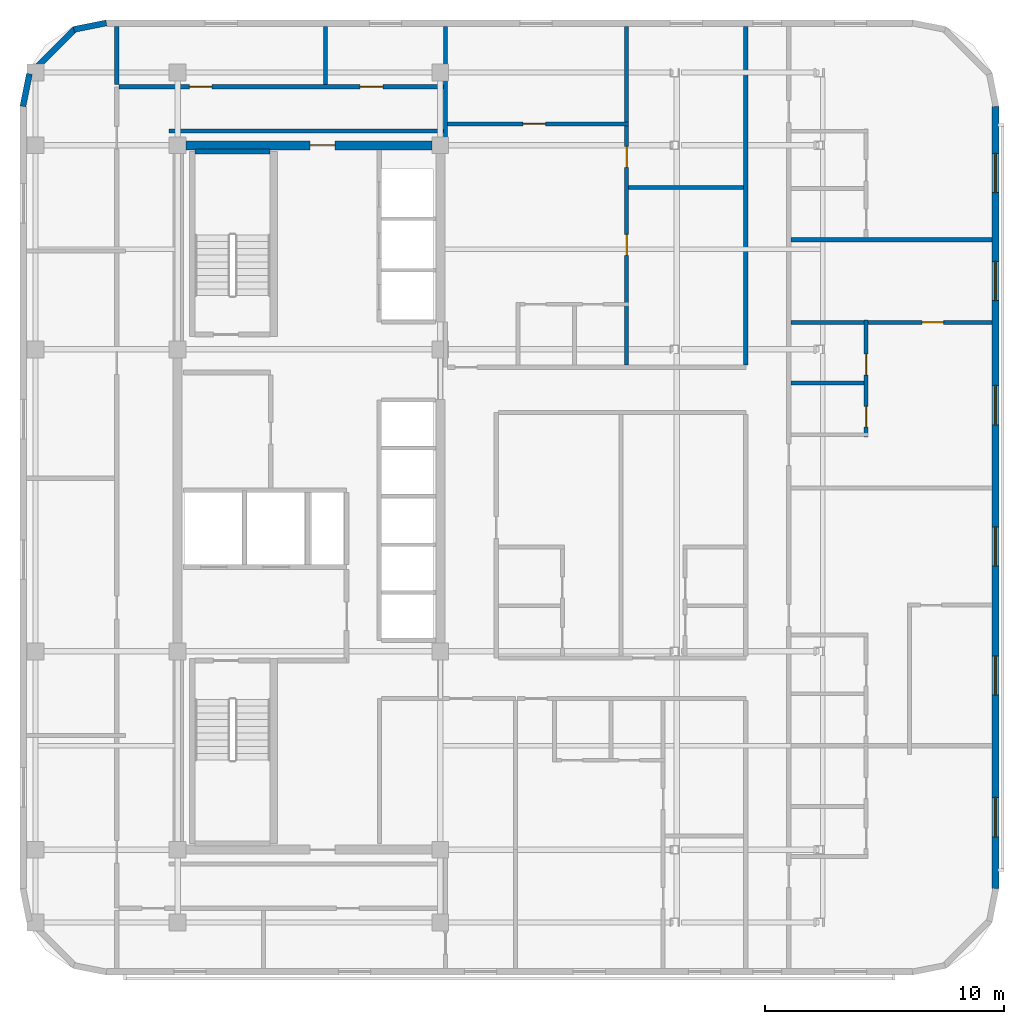
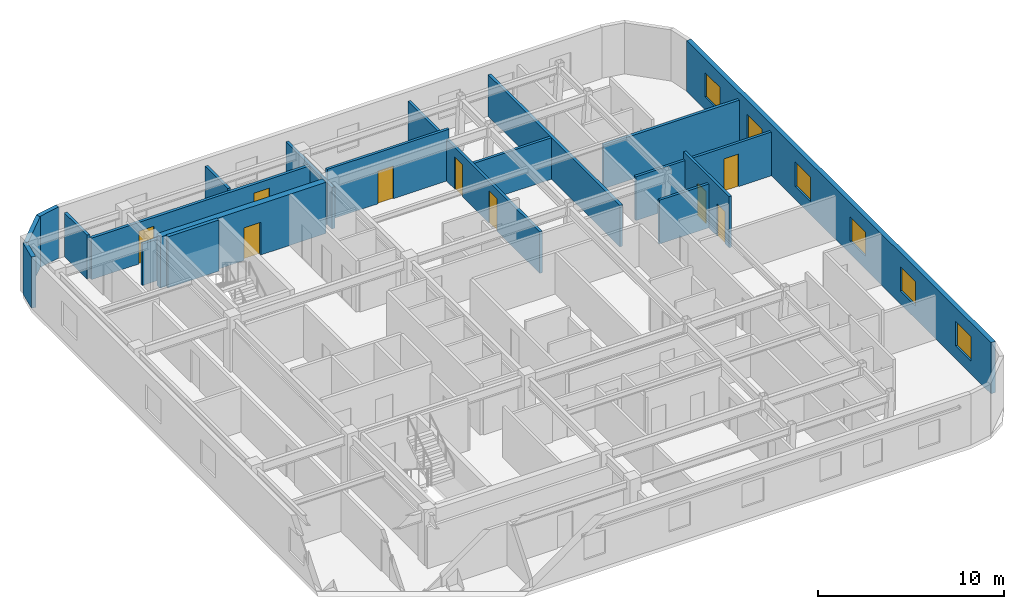
# One storey, part 6 of 10: 19 walls, 9 doors, 6 windows, 15 openings.
"""IFC4 building model written with IfcOpenShell, lengths in metres."""

from ifc_helpers import new_model, si_unit, direction, frame, frame_2d, origin, place, context, subcontext, project, spatial, rectangle, extrude, material, layer, layer_set, type_object, element, fill, save


model = new_model("IFC4")

# Units and contexts
model_context = context("Model", 3, precision=1e-05, world=origin(), true_north=direction((0.0, 1.0)))
body_context = subcontext(model_context, "Body", "Model", "MODEL_VIEW")
ifc_project = project(units=[si_unit("LENGTHUNIT", "METRE"), si_unit("AREAUNIT", "SQUARE_METRE"), si_unit("VOLUMEUNIT", "CUBIC_METRE"), si_unit("PLANEANGLEUNIT", "RADIAN"), si_unit("MASSUNIT", "GRAM", prefix="KILO")], contexts=[model_context])

# Site, building, storey
site_placement = place(None, origin())
site = spatial("IfcSite", under=ifc_project, at=site_placement, CompositionType="ELEMENT")
building_placement = place(site_placement, origin())
building = spatial("IfcBuilding", under=site, at=building_placement, Name="Ochreholt Gables", CompositionType="ELEMENT")
storey_placement = place(building_placement, frame((0.0, 0.0, 144.60009765625)))
storey = spatial("IfcBuildingStorey", under=building, at=storey_placement, Name="L37", CompositionType="ELEMENT", Elevation=144.60009765625)

# Wall, opening, door
ifc_material_1 = material(Name="Concrete 50 MPa", Category="concrete")
ifc_layer_1 = layer(ifc_material_1, 0.3798828125, Name="Concrete 50 MPa")
ifc_layer_set_1 = layer_set([ifc_layer_1], Name="Concrete 50 MPa")
wall_type_1 = type_object("IfcWallType", Name="WALL-CSW-380", PredefinedType="SHEAR", material=ifc_layer_set_1)
wall_1_placement = place(storey_placement, frame((24.550048828125, 38.75, 0.0), z_axis=(0.0, 0.0, 1.0), x_axis=(1.0, 0.0, 0.0)))
wall_1 = element("IfcWall", 1, at=wall_1_placement, inside=storey, type_object=wall_type_1, Name="L37 Core North Shear Wall", PredefinedType="SHEAR", context=body_context, shape_type="SweptSolid", body=[
    extrude(rectangle(XDim=10.300048828125, YDim=0.3798828125, at=frame_2d((5.14990234375, 0.0))), origin(), (0.0, 0.0, 1.0), 3.35986328125),
])
opening_1_placement = place(wall_1_placement, frame((5.199951171875, 0.0, 0.0)))
opening_1 = element("IfcOpeningElement", 2, at=opening_1_placement, cuts=wall_1, Name="Opening D-FLB", PredefinedType="OPENING", context=body_context, shape_type="SweptSolid", body=[
    extrude(rectangle(XDim=1.050048828125, YDim=2.14990234375, at=frame_2d((0.52490234375, 1.074951171875))), frame((0.0, 0.199951171875, 0.0), z_axis=(0.0, -1.0, 0.0), x_axis=(1.0, 0.0, 0.0)), (0.0, 0.0, 1.0), 0.39990234375),
])
ifc_material_2 = material(Name="Hollow Metal Steel", Category="steel")
door_type_1 = type_object("IfcDoorType", Name="DR-INT-FLB1050", OperationType="NOTDEFINED", PredefinedType="DOOR", material=ifc_material_2)
door_1_placement = place(opening_1_placement, frame((1.050048828125, 0.0, 0.0), z_axis=(0.0, 0.0, 1.0), x_axis=(-1.0, 0.0, 0.0)))
door_1 = element("IfcDoor", 3, at=door_1_placement, inside=storey, type_object=door_type_1, Name="L37 Door D-C2CRN-L37", OperationType="SINGLE_SWING_RIGHT", OverallHeight=2.14990234375, OverallWidth=1.050048828125, PredefinedType="DOOR", context=body_context, shape_type="SweptSolid", body=[
    extrude(rectangle(XDim=1.050048828125, YDim=2.14990234375, at=frame_2d((0.52490234375, 1.074951171875))), frame((0.0, 0.02490234375, 0.0), z_axis=(0.0, -1.0, 0.0), x_axis=(1.0, 0.0, 0.0)), (0.0, 0.0, 1.0), 0.050048828125),
])
fill(opening_1, door_1)

# Wall, openings, windows
ifc_material_3 = material(Name="Precast concrete 40 MPa", Category="concrete")
ifc_layer_2 = layer(ifc_material_3, 0.280029296875, Name="Precast concrete 40 MPa")
ifc_layer_set_2 = layer_set([ifc_layer_2], Name="Precast concrete 40 MPa")
wall_type_2 = type_object("IfcWallType", Name="WALL-EXT-280", PredefinedType="SOLIDWALL", material=ifc_layer_set_2)
wall_2_placement = place(storey_placement, frame((58.4599609375, 7.6201171875, 0.0), z_axis=(0.0, 0.0, 1.0), x_axis=(0.0, 1.0, 0.0)))
wall_2 = element("IfcWall", 4, at=wall_2_placement, inside=storey, type_object=wall_type_2, Name="L37 East Exterior Wall", PredefinedType="SOLIDWALL", context=body_context, shape_type="SweptSolid", body=[
    extrude(rectangle(XDim=32.759765625, YDim=0.280029296875, at=frame_2d((16.3798828125, 0.0))), origin(), (0.0, 0.0, 1.0), 3.35986328125),
])
opening_2_placement = place(wall_2_placement, frame((2.1650390625, 0.0, 0.85009765625)))
opening_2 = element("IfcOpeningElement", 5, at=opening_2_placement, cuts=wall_2, Name="Opening WN-7", PredefinedType="OPENING", context=body_context, shape_type="SweptSolid", body=[
    extrude(rectangle(XDim=1.64990234375, YDim=1.60009765625, at=frame_2d((0.824951171875, 0.800048828125))), frame((0.0, 0.14990234375, 0.0), z_axis=(0.0, -1.0, 0.0), x_axis=(1.0, 0.0, 0.0)), (0.0, 0.0, 1.0), 0.300048828125),
])
opening_3_placement = place(wall_2_placement, frame((8.10009765625, 0.0, 0.85009765625)))
opening_3 = element("IfcOpeningElement", 6, at=opening_3_placement, cuts=wall_2, Name="Opening WN-7", PredefinedType="OPENING", context=body_context, shape_type="SweptSolid", body=[
    extrude(rectangle(XDim=1.64990234375, YDim=1.60009765625, at=frame_2d((0.824951171875, 0.800048828125))), frame((0.0, 0.14990234375, 0.0), z_axis=(0.0, -1.0, 0.0), x_axis=(1.0, 0.0, 0.0)), (0.0, 0.0, 1.0), 0.300048828125),
])
opening_4_placement = place(wall_2_placement, frame((13.5, 0.0, 0.85009765625)))
opening_4 = element("IfcOpeningElement", 7, at=opening_4_placement, cuts=wall_2, Name="Opening WN-7", PredefinedType="OPENING", context=body_context, shape_type="SweptSolid", body=[
    extrude(rectangle(XDim=1.64990234375, YDim=1.60009765625, at=frame_2d((0.824951171875, 0.800048828125))), frame((0.0, 0.14990234375, 0.0), z_axis=(0.0, -1.0, 0.0), x_axis=(1.0, 0.0, 0.0)), (0.0, 0.0, 1.0), 0.300048828125),
])
opening_5_placement = place(wall_2_placement, frame((19.423583984375, 0.0, 0.85009765625)))
opening_5 = element("IfcOpeningElement", 8, at=opening_5_placement, cuts=wall_2, Name="Opening WN-7", PredefinedType="OPENING", context=body_context, shape_type="SweptSolid", body=[
    extrude(rectangle(XDim=1.64990234375, YDim=1.60009765625, at=frame_2d((0.824951171875, 0.800048828125))), frame((0.0, 0.14990234375, 0.0), z_axis=(0.0, -1.0, 0.0), x_axis=(1.0, 0.0, 0.0)), (0.0, 0.0, 1.0), 0.300048828125),
])
opening_6_placement = place(wall_2_placement, frame((24.623779296875, 0.0, 0.85009765625)))
opening_6 = element("IfcOpeningElement", 9, at=opening_6_placement, cuts=wall_2, Name="Opening WN-7", PredefinedType="OPENING", context=body_context, shape_type="SweptSolid", body=[
    extrude(rectangle(XDim=1.64990234375, YDim=1.60009765625, at=frame_2d((0.824951171875, 0.800048828125))), frame((0.0, 0.14990234375, 0.0), z_axis=(0.0, -1.0, 0.0), x_axis=(1.0, 0.0, 0.0)), (0.0, 0.0, 1.0), 0.300048828125),
])
opening_7_placement = place(wall_2_placement, frame((29.14501953125, 0.0, 0.85009765625)))
opening_7 = element("IfcOpeningElement", 10, at=opening_7_placement, cuts=wall_2, Name="Opening WN-7", PredefinedType="OPENING", context=body_context, shape_type="SweptSolid", body=[
    extrude(rectangle(XDim=1.64990234375, YDim=1.60009765625, at=frame_2d((0.824951171875, 0.800048828125))), frame((0.0, 0.14990234375, 0.0), z_axis=(0.0, -1.0, 0.0), x_axis=(1.0, 0.0, 0.0)), (0.0, 0.0, 1.0), 0.300048828125),
])
ifc_material_4 = material(Name="Triple-Glazed Thermally Broken Aluminium Window", Category="aluminium")
window_type = type_object("IfcWindowType", Name="WIN-RES-1650", PartitioningType="SINGLE_PANEL", PredefinedType="WINDOW", material=ifc_material_4)
window_1_placement = place(opening_2_placement, origin())
window_1 = element("IfcWindow", 11, at=window_1_placement, inside=storey, type_object=window_type, Name="L37 Window W-EXT-E-L37-1", OverallHeight=1.60009765625, OverallWidth=1.64990234375, PartitioningType="SINGLE_PANEL", PredefinedType="WINDOW", context=body_context, shape_type="SweptSolid", body=[
    extrude(rectangle(XDim=1.64990234375, YDim=1.60009765625, at=frame_2d((0.824951171875, 0.800048828125))), frame((0.0, 0.030029296875, 0.0), z_axis=(0.0, -1.0, 0.0), x_axis=(1.0, 0.0, 0.0)), (0.0, 0.0, 1.0), 0.06005859375),
])
fill(opening_2, window_1)
window_2_placement = place(opening_3_placement, origin())
window_2 = element("IfcWindow", 12, at=window_2_placement, inside=storey, type_object=window_type, Name="L37 Window W-EXT-E-L37-2", OverallHeight=1.60009765625, OverallWidth=1.64990234375, PartitioningType="SINGLE_PANEL", PredefinedType="WINDOW", context=body_context, shape_type="SweptSolid", body=[
    extrude(rectangle(XDim=1.64990234375, YDim=1.60009765625, at=frame_2d((0.824951171875, 0.800048828125))), frame((0.0, 0.030029296875, 0.0), z_axis=(0.0, -1.0, 0.0), x_axis=(1.0, 0.0, 0.0)), (0.0, 0.0, 1.0), 0.06005859375),
])
fill(opening_3, window_2)
window_3_placement = place(opening_4_placement, origin())
window_3 = element("IfcWindow", 13, at=window_3_placement, inside=storey, type_object=window_type, Name="L37 Window W-EXT-E-L37-3", OverallHeight=1.60009765625, OverallWidth=1.64990234375, PartitioningType="SINGLE_PANEL", PredefinedType="WINDOW", context=body_context, shape_type="SweptSolid", body=[
    extrude(rectangle(XDim=1.64990234375, YDim=1.60009765625, at=frame_2d((0.824951171875, 0.800048828125))), frame((0.0, 0.030029296875, 0.0), z_axis=(0.0, -1.0, 0.0), x_axis=(1.0, 0.0, 0.0)), (0.0, 0.0, 1.0), 0.06005859375),
])
fill(opening_4, window_3)
window_4_placement = place(opening_5_placement, origin())
window_4 = element("IfcWindow", 14, at=window_4_placement, inside=storey, type_object=window_type, Name="L37 Window W-EXT-E-L37-4", OverallHeight=1.60009765625, OverallWidth=1.64990234375, PartitioningType="SINGLE_PANEL", PredefinedType="WINDOW", context=body_context, shape_type="SweptSolid", body=[
    extrude(rectangle(XDim=1.64990234375, YDim=1.60009765625, at=frame_2d((0.824951171875, 0.800048828125))), frame((0.0, 0.030029296875, 0.0), z_axis=(0.0, -1.0, 0.0), x_axis=(1.0, 0.0, 0.0)), (0.0, 0.0, 1.0), 0.06005859375),
])
fill(opening_5, window_4)
window_5_placement = place(opening_6_placement, origin())
window_5 = element("IfcWindow", 15, at=window_5_placement, inside=storey, type_object=window_type, Name="L37 Window W-EXT-E-L37-5", OverallHeight=1.60009765625, OverallWidth=1.64990234375, PartitioningType="SINGLE_PANEL", PredefinedType="WINDOW", context=body_context, shape_type="SweptSolid", body=[
    extrude(rectangle(XDim=1.64990234375, YDim=1.60009765625, at=frame_2d((0.824951171875, 0.800048828125))), frame((0.0, 0.030029296875, 0.0), z_axis=(0.0, -1.0, 0.0), x_axis=(1.0, 0.0, 0.0)), (0.0, 0.0, 1.0), 0.06005859375),
])
fill(opening_6, window_5)
window_6_placement = place(opening_7_placement, origin())
window_6 = element("IfcWindow", 16, at=window_6_placement, inside=storey, type_object=window_type, Name="L37 Window W-EXT-E-L37-6", OverallHeight=1.60009765625, OverallWidth=1.64990234375, PartitioningType="SINGLE_PANEL", PredefinedType="WINDOW", context=body_context, shape_type="SweptSolid", body=[
    extrude(rectangle(XDim=1.64990234375, YDim=1.60009765625, at=frame_2d((0.824951171875, 0.800048828125))), frame((0.0, 0.030029296875, 0.0), z_axis=(0.0, -1.0, 0.0), x_axis=(1.0, 0.0, 0.0)), (0.0, 0.0, 1.0), 0.06005859375),
])
fill(opening_7, window_6)

# Walls
ifc_layer_3 = layer(ifc_material_3, 0.25, Name="Precast concrete 40 MPa")
ifc_layer_set_3 = layer_set([ifc_layer_3], Name="Precast concrete 40 MPa")
wall_type_3 = type_object("IfcWallType", Name="WALL-EXT-CNR", PredefinedType="SOLIDWALL", material=ifc_layer_set_3)
wall_3_placement = place(storey_placement, frame((21.216552734375, 43.875732421875, 0.0), z_axis=(0.0, 0.0, 1.0), x_axis=(-0.980809899341, -0.19496651342, 0.0)))
element("IfcWall", 17, at=wall_3_placement, inside=storey, type_object=wall_type_3, Name="L37 Rounded Corner Wall NW-1", PredefinedType="SOLIDWALL", context=body_context, shape_type="SweptSolid", body=[
    extrude(rectangle(XDim=1.388671875, YDim=0.25, at=frame_2d((0.6943359375, 0.0))), origin(), (0.0, 0.0, 1.0), 3.35986328125),
])
wall_4_placement = place(storey_placement, frame((19.905029296875, 43.632080078125, 0.0), z_axis=(0.0, 0.0, 1.0), x_axis=(-0.707106781187, -0.707106781187, 0.0)))
element("IfcWall", 18, at=wall_4_placement, inside=storey, type_object=wall_type_3, Name="L37 Rounded Corner Wall NW-2", PredefinedType="SOLIDWALL", context=body_context, shape_type="SweptSolid", body=[
    extrude(rectangle(XDim=2.7392578125, YDim=0.25, at=frame_2d((1.36962890625, 0.0))), origin(), (0.0, 0.0, 1.0), 3.35986328125),
])
wall_5_placement = place(storey_placement, frame((17.9951171875, 41.74560546875, 0.0), z_axis=(0.0, 0.0, 1.0), x_axis=(-0.195135625965, -0.9807762678, 0.0)))
element("IfcWall", 19, at=wall_5_placement, inside=storey, type_object=wall_type_3, Name="L37 Rounded Corner Wall NW-3", PredefinedType="SOLIDWALL", context=body_context, shape_type="SweptSolid", body=[
    extrude(rectangle(XDim=1.388671875, YDim=0.25, at=frame_2d((0.6943359375, 0.0))), origin(), (0.0, 0.0, 1.0), 3.35986328125),
])

# Wall, openings, doors
ifc_material_5 = material(Name="Fire-Rated Gypsum Acoustic Partition", Category="gypsum")
ifc_layer_4 = layer(ifc_material_5, 0.179931640625, Name="Fire-Rated Gypsum Acoustic Partition")
ifc_layer_set_4 = layer_set([ifc_layer_4], Name="Fire-Rated Gypsum Acoustic Partition")
wall_type_4 = type_object("IfcWallType", Name="WALL-INT-CR180", PredefinedType="STANDARD", material=ifc_layer_set_4)
wall_6_placement = place(storey_placement, frame((21.739990234375, 41.199951171875, 0.0), z_axis=(0.0, 0.0, 1.0), x_axis=(1.0, 0.0, 0.0)))
wall_6 = element("IfcWall", 20, at=wall_6_placement, inside=storey, type_object=wall_type_4, Name="L37 Interior Wall WI-C2WCN-L37", PredefinedType="STANDARD", context=body_context, shape_type="SweptSolid", body=[
    extrude(rectangle(XDim=13.679931640625, YDim=0.179931640625, at=frame_2d((6.83984375, 0.0))), origin(), (0.0, 0.0, 1.0), 2.72998046875),
])
opening_8_placement = place(wall_6_placement, frame((2.949951171875, 0.0, 0.0)))
opening_8 = element("IfcOpeningElement", 21, at=opening_8_placement, cuts=wall_6, Name="Opening D-GN1", PredefinedType="OPENING", context=body_context, shape_type="SweptSolid", body=[
    extrude(rectangle(XDim=0.949951171875, YDim=2.14990234375, at=frame_2d((0.47509765625, 1.074951171875))), frame((0.0, 0.099853515625, 0.0), z_axis=(0.0, -1.0, 0.0), x_axis=(1.0, 0.0, 0.0)), (0.0, 0.0, 1.0), 0.199951171875),
])
opening_9_placement = place(wall_6_placement, frame((10.110107421875, 0.0, 0.0)))
opening_9 = element("IfcOpeningElement", 22, at=opening_9_placement, cuts=wall_6, Name="Opening D-GN1", PredefinedType="OPENING", context=body_context, shape_type="SweptSolid", body=[
    extrude(rectangle(XDim=0.949951171875, YDim=2.14990234375, at=frame_2d((0.47509765625, 1.074951171875))), frame((0.0, 0.099853515625, 0.0), z_axis=(0.0, -1.0, 0.0), x_axis=(1.0, 0.0, 0.0)), (0.0, 0.0, 1.0), 0.199951171875),
])
ifc_material_6 = material(Name="Engineered Oak Timber", Category="wood")
door_type_2 = type_object("IfcDoorType", Name="DR-INT-GEN950", OperationType="NOTDEFINED", PredefinedType="DOOR", material=ifc_material_6)
door_2_placement = place(opening_8_placement, origin())
door_2 = element("IfcDoor", 23, at=door_2_placement, inside=storey, type_object=door_type_2, Name="L37 Door D-C2NRS1-L37", OperationType="SINGLE_SWING_RIGHT", OverallHeight=2.14990234375, OverallWidth=0.949951171875, PredefinedType="DOOR", context=body_context, shape_type="SweptSolid", body=[
    extrude(rectangle(XDim=0.949951171875, YDim=2.14990234375, at=frame_2d((0.47509765625, 1.074951171875))), frame((0.0, 0.02490234375, 0.0), z_axis=(0.0, -1.0, 0.0), x_axis=(1.0, 0.0, 0.0)), (0.0, 0.0, 1.0), 0.050048828125),
])
fill(opening_8, door_2)
door_3_placement = place(opening_9_placement, origin())
door_3 = element("IfcDoor", 24, at=door_3_placement, inside=storey, type_object=door_type_2, Name="L37 Door D-C2NRS2-L37", OperationType="SINGLE_SWING_LEFT", OverallHeight=2.14990234375, OverallWidth=0.949951171875, PredefinedType="DOOR", context=body_context, shape_type="SweptSolid", body=[
    extrude(rectangle(XDim=0.949951171875, YDim=2.14990234375, at=frame_2d((0.47509765625, 1.074951171875))), frame((0.0, 0.02490234375, 0.0), z_axis=(0.0, -1.0, 0.0), x_axis=(1.0, 0.0, 0.0)), (0.0, 0.0, 1.0), 0.050048828125),
])
fill(opening_9, door_3)

# Walls
wall_7_placement = place(storey_placement, frame((23.85009765625, 39.35009765625, 0.0), z_axis=(0.0, 0.0, 1.0), x_axis=(1.0, 0.0, 0.0)))
element("IfcWall", 25, at=wall_7_placement, inside=storey, type_object=wall_type_4, Name="L37 Interior Wall WI-C2WCN2-L37", PredefinedType="STANDARD", context=body_context, shape_type="SweptSolid", body=[
    extrude(rectangle(XDim=11.56982421875, YDim=0.179931640625, at=frame_2d((5.784912109375, 0.0))), origin(), (0.0, 0.0, 1.0), 2.72998046875),
])
wall_8_placement = place(storey_placement, frame((48.0, 29.550048828125, 0.0), z_axis=(0.0, 0.0, 1.0), x_axis=(0.0, 1.0, 0.0)))
element("IfcWall", 26, at=wall_8_placement, inside=storey, type_object=wall_type_4, Name="L37 Interior Wall WI-C2FEGW3-L37", PredefinedType="STANDARD", context=body_context, shape_type="SweptSolid", body=[
    extrude(rectangle(XDim=14.169921875, YDim=0.179931640625, at=frame_2d((7.0849609375, 0.0))), origin(), (0.0, 0.0, 1.0), 2.72998046875),
])
ifc_material_7 = material(Name="Double-Stud Acoustic Demising Wall", Category="gypsum")
ifc_layer_5 = layer(ifc_material_7, 0.179931640625, Name="Double-Stud Acoustic Demising Wall")
ifc_layer_set_5 = layer_set([ifc_layer_5], Name="Double-Stud Acoustic Demising Wall")
wall_type_5 = type_object("IfcWallType", Name="WALL-INT-DM180", PredefinedType="PARTITIONING", material=ifc_layer_set_5)
wall_9_placement = place(storey_placement, frame((21.64990234375, 41.2900390625, 0.0), z_axis=(0.0, 0.0, 1.0), x_axis=(0.0, 1.0, 0.0)))
element("IfcWall", 27, at=wall_9_placement, inside=storey, type_object=wall_type_5, Name="L37 Interior Wall WI-C2WWN-L37", PredefinedType="PARTITIONING", context=body_context, shape_type="SweptSolid", body=[
    extrude(rectangle(XDim=2.429931640625, YDim=0.179931640625, at=frame_2d((1.21484375, 0.0))), origin(), (0.0, 0.0, 1.0), 2.87890625),
])
wall_10_placement = place(storey_placement, frame((35.419921875, 38.75, 0.0), z_axis=(0.0, 0.0, 1.0), x_axis=(0.0, 1.0, 0.0)))
element("IfcWall", 28, at=wall_10_placement, inside=storey, type_object=wall_type_5, Name="L37 Interior Wall WI-C2NEN-L37", PredefinedType="PARTITIONING", context=body_context, shape_type="SweptSolid", body=[
    extrude(rectangle(XDim=4.969970703125, YDim=0.179931640625, at=frame_2d((2.48486328125, 0.0))), origin(), (0.0, 0.0, 1.0), 2.72998046875),
])
wall_11_placement = place(storey_placement, frame((49.889892578125, 34.800048828125, 0.0), z_axis=(0.0, 0.0, 1.0), x_axis=(1.0, 0.0, 0.0)))
element("IfcWall", 29, at=wall_11_placement, inside=storey, type_object=wall_type_5, Name="L37 Interior Wall WI-C2FED4-L37", PredefinedType="PARTITIONING", context=body_context, shape_type="SweptSolid", body=[
    extrude(rectangle(XDim=8.43017578125, YDim=0.179931640625, at=frame_2d((4.215087890625, 0.0))), origin(), (0.0, 0.0, 1.0), 2.87890625),
])

# Wall, openings, doors
ifc_material_8 = material(Name="Moisture-Resistant Plumbing Chase Wall", Category="gypsum")
ifc_layer_6 = layer(ifc_material_8, 0.159912109375, Name="Moisture-Resistant Plumbing Chase Wall")
ifc_layer_set_6 = layer_set([ifc_layer_6], Name="Moisture-Resistant Plumbing Chase Wall")
wall_type_6 = type_object("IfcWallType", Name="WALL-INT-PL160", PredefinedType="PLUMBINGWALL", material=ifc_layer_set_6)
wall_12_placement = place(storey_placement, frame((53.0400390625, 26.540283203125, 0.0), z_axis=(0.0, 0.0, 1.0), x_axis=(0.0, 1.0, 0.0)))
wall_12 = element("IfcWall", 30, at=wall_12_placement, inside=storey, type_object=wall_type_6, Name="L37 Interior Wall WU-L37FE3-WX", PredefinedType="PLUMBINGWALL", context=body_context, shape_type="SweptSolid", body=[
    extrude(rectangle(XDim=4.88720703125, YDim=0.159912109375, at=frame_2d((2.443603515625, 0.0))), origin(), (0.0, 0.0, 1.0), 3.35986328125),
])
opening_10_placement = place(wall_12_placement, frame((0.419921875, 0.0, 0.0)))
opening_10 = element("IfcOpeningElement", 31, at=opening_10_placement, cuts=wall_12, Name="Opening D-BT1", PredefinedType="OPENING", context=body_context, shape_type="SweptSolid", body=[
    extrude(rectangle(XDim=0.860107421875, YDim=2.1201171875, at=frame_2d((0.43017578125, 1.06005859375))), frame((0.0, 0.08984375, 0.0), z_axis=(0.0, -1.0, 0.0), x_axis=(1.0, 0.0, 0.0)), (0.0, 0.0, 1.0), 0.179931640625),
])
opening_11_placement = place(wall_12_placement, frame((2.585205078125, 0.0, 0.0)))
opening_11 = element("IfcOpeningElement", 32, at=opening_11_placement, cuts=wall_12, Name="Opening D-GN2", PredefinedType="OPENING", context=body_context, shape_type="SweptSolid", body=[
    extrude(rectangle(XDim=0.8798828125, YDim=2.1201171875, at=frame_2d((0.43994140625, 1.06005859375))), frame((0.0, 0.08984375, 0.0), z_axis=(0.0, -1.0, 0.0), x_axis=(1.0, 0.0, 0.0)), (0.0, 0.0, 1.0), 0.179931640625),
])
door_type_3 = type_object("IfcDoorType", Name="DR-INT-BTH860", OperationType="NOTDEFINED", PredefinedType="DOOR", material=ifc_material_6)
door_4_placement = place(opening_10_placement, origin())
door_4 = element("IfcDoor", 33, at=door_4_placement, inside=storey, type_object=door_type_3, Name="L37 Door D-U-L37FE3-BTH", OperationType="SINGLE_SWING_LEFT", OverallHeight=2.1201171875, OverallWidth=0.860107421875, PredefinedType="DOOR", context=body_context, shape_type="SweptSolid", body=[
    extrude(rectangle(XDim=0.860107421875, YDim=2.1201171875, at=frame_2d((0.43017578125, 1.06005859375))), frame((0.0, 0.02490234375, 0.0), z_axis=(0.0, -1.0, 0.0), x_axis=(1.0, 0.0, 0.0)), (0.0, 0.0, 1.0), 0.050048828125),
])
fill(opening_10, door_4)
door_type_4 = type_object("IfcDoorType", Name="DR-INT-GEN880", OperationType="NOTDEFINED", PredefinedType="DOOR", material=ifc_material_6)
door_5_placement = place(opening_11_placement, origin())
door_5 = element("IfcDoor", 34, at=door_5_placement, inside=storey, type_object=door_type_4, Name="L37 Door D-U-L37FE3-KIT", OperationType="SINGLE_SWING_RIGHT", OverallHeight=2.1201171875, OverallWidth=0.8798828125, PredefinedType="DOOR", context=body_context, shape_type="SweptSolid", body=[
    extrude(rectangle(XDim=0.8798828125, YDim=2.1201171875, at=frame_2d((0.43994140625, 1.06005859375))), frame((0.0, 0.02490234375, 0.0), z_axis=(0.0, -1.0, 0.0), x_axis=(1.0, 0.0, 0.0)), (0.0, 0.0, 1.0), 0.050048828125),
])
fill(opening_11, door_5)

# Wall
wall_13_placement = place(storey_placement, frame((49.889892578125, 28.795654296875, 0.0), z_axis=(0.0, 0.0, 1.0), x_axis=(1.0, 0.0, 0.0)))
element("IfcWall", 35, at=wall_13_placement, inside=storey, type_object=wall_type_6, Name="L37 Interior Wall WU-L37FE3-WK", PredefinedType="PLUMBINGWALL", context=body_context, shape_type="SweptSolid", body=[
    extrude(rectangle(XDim=3.070068359375, YDim=0.159912109375, at=frame_2d((1.53515625, 0.0))), origin(), (0.0, 0.0, 1.0), 2.87890625),
])

# Wall, openings, doors
ifc_material_9 = material(Name="Gypsum Acoustic Stud Partition", Category="gypsum")
ifc_layer_7 = layer(ifc_material_9, 0.1650390625, Name="Gypsum Acoustic Stud Partition")
ifc_layer_set_7 = layer_set([ifc_layer_7], Name="Gypsum Acoustic Stud Partition")
wall_type_7 = type_object("IfcWallType", Name="WALL-INT-PT165", PredefinedType="PARTITIONING", material=ifc_layer_set_7)
wall_14_placement = place(storey_placement, frame((43.010009765625, 29.550048828125, 0.0), z_axis=(0.0, 0.0, 1.0), x_axis=(0.0, 1.0, 0.0)))
wall_14 = element("IfcWall", 36, at=wall_14_placement, inside=storey, type_object=wall_type_7, Name="L37 Interior Wall WU-L37N1-MNX", PredefinedType="PARTITIONING", context=body_context, shape_type="SweptSolid", body=[
    extrude(rectangle(XDim=14.169921875, YDim=0.1650390625, at=frame_2d((7.0849609375, 0.0))), origin(), (0.0, 0.0, 1.0), 2.72998046875),
])
opening_12_placement = place(wall_14_placement, frame((4.592529296875, 0.0, 0.0)))
opening_12 = element("IfcOpeningElement", 37, at=opening_12_placement, cuts=wall_14, Name="Opening D-BD2", PredefinedType="OPENING", context=body_context, shape_type="SweptSolid", body=[
    extrude(rectangle(XDim=0.8798828125, YDim=2.139892578125, at=frame_2d((0.43994140625, 1.06982421875))), frame((0.0, 0.092529296875, 0.0), z_axis=(0.0, -1.0, 0.0), x_axis=(1.0, 0.0, 0.0)), (0.0, 0.0, 1.0), 0.18505859375),
])
opening_13_placement = place(wall_14_placement, frame((8.280029296875, 0.0, 0.0)))
opening_13 = element("IfcOpeningElement", 38, at=opening_13_placement, cuts=wall_14, Name="Opening D-GN2", PredefinedType="OPENING", context=body_context, shape_type="SweptSolid", body=[
    extrude(rectangle(XDim=0.8798828125, YDim=2.1201171875, at=frame_2d((0.43994140625, 1.06005859375))), frame((0.0, 0.092529296875, 0.0), z_axis=(0.0, -1.0, 0.0), x_axis=(1.0, 0.0, 0.0)), (0.0, 0.0, 1.0), 0.18505859375),
])
door_type_5 = type_object("IfcDoorType", Name="DR-INT-BED880", OperationType="NOTDEFINED", PredefinedType="DOOR", material=ifc_material_6)
door_6_placement = place(opening_12_placement, origin())
door_6 = element("IfcDoor", 39, at=door_6_placement, inside=storey, type_object=door_type_5, Name="L37 Door D-U-L37N1-BD1", OperationType="SINGLE_SWING_LEFT", OverallHeight=2.139892578125, OverallWidth=0.8798828125, PredefinedType="DOOR", context=body_context, shape_type="SweptSolid", body=[
    extrude(rectangle(XDim=0.8798828125, YDim=2.139892578125, at=frame_2d((0.43994140625, 1.06982421875))), frame((0.0, 0.02490234375, 0.0), z_axis=(0.0, -1.0, 0.0), x_axis=(1.0, 0.0, 0.0)), (0.0, 0.0, 1.0), 0.050048828125),
])
fill(opening_12, door_6)
door_7_placement = place(opening_13_placement, origin())
door_7 = element("IfcDoor", 40, at=door_7_placement, inside=storey, type_object=door_type_4, Name="L37 Door D-U-L37N1-BD2", OperationType="SINGLE_SWING_RIGHT", OverallHeight=2.1201171875, OverallWidth=0.8798828125, PredefinedType="DOOR", context=body_context, shape_type="SweptSolid", body=[
    extrude(rectangle(XDim=0.8798828125, YDim=2.1201171875, at=frame_2d((0.43994140625, 1.06005859375))), frame((0.0, 0.02490234375, 0.0), z_axis=(0.0, -1.0, 0.0), x_axis=(1.0, 0.0, 0.0)), (0.0, 0.0, 1.0), 0.050048828125),
])
fill(opening_13, door_7)

# Wall, opening, door
wall_15_placement = place(storey_placement, frame((35.510009765625, 39.64990234375, 0.0), z_axis=(0.0, 0.0, 1.0), x_axis=(1.0, 0.0, 0.0)))
wall_15 = element("IfcWall", 41, at=wall_15_placement, inside=storey, type_object=wall_type_7, Name="L37 Interior Wall WU-L37N1-DNY", PredefinedType="PARTITIONING", context=body_context, shape_type="SweptSolid", body=[
    extrude(rectangle(XDim=7.580078125, YDim=0.1650390625, at=frame_2d((3.7900390625, 0.0))), origin(), (0.0, 0.0, 1.0), 3.35986328125),
])
opening_14_placement = place(wall_15_placement, frame((3.155029296875, 0.0, 0.0)))
opening_14 = element("IfcOpeningElement", 42, at=opening_14_placement, cuts=wall_15, Name="Opening D-GN1", PredefinedType="OPENING", context=body_context, shape_type="SweptSolid", body=[
    extrude(rectangle(XDim=0.949951171875, YDim=2.14990234375, at=frame_2d((0.47509765625, 1.074951171875))), frame((0.0, 0.092529296875, 0.0), z_axis=(0.0, -1.0, 0.0), x_axis=(1.0, 0.0, 0.0)), (0.0, 0.0, 1.0), 0.18505859375),
])
door_8_placement = place(opening_14_placement, origin())
door_8 = element("IfcDoor", 43, at=door_8_placement, inside=storey, type_object=door_type_2, Name="L37 Door D-U-L37N1-DIN", OperationType="SINGLE_SWING_RIGHT", OverallHeight=2.14990234375, OverallWidth=0.949951171875, PredefinedType="DOOR", context=body_context, shape_type="SweptSolid", body=[
    extrude(rectangle(XDim=0.949951171875, YDim=2.14990234375, at=frame_2d((0.47509765625, 1.074951171875))), frame((0.0, 0.02490234375, 0.0), z_axis=(0.0, -1.0, 0.0), x_axis=(1.0, 0.0, 0.0)), (0.0, 0.0, 1.0), 0.050048828125),
])
fill(opening_14, door_8)

# Wall
wall_16_placement = place(storey_placement, frame((43.090087890625, 36.97998046875, 0.0), z_axis=(0.0, 0.0, 1.0), x_axis=(1.0, 0.0, 0.0)))
element("IfcWall", 44, at=wall_16_placement, inside=storey, type_object=wall_type_7, Name="L37 Interior Wall WU-L37N1-RDV", PredefinedType="PARTITIONING", context=body_context, shape_type="SweptSolid", body=[
    extrude(rectangle(XDim=4.81982421875, YDim=0.1650390625, at=frame_2d((2.409912109375, 0.0))), origin(), (0.0, 0.0, 1.0), 2.72998046875),
])

# Wall, opening, door
wall_17_placement = place(storey_placement, frame((49.889892578125, 31.33740234375, 0.0), z_axis=(0.0, 0.0, 1.0), x_axis=(1.0, 0.0, 0.0)))
wall_17 = element("IfcWall", 45, at=wall_17_placement, inside=storey, type_object=wall_type_7, Name="L37 Interior Wall WU-L37FE3-MN", PredefinedType="PARTITIONING", context=body_context, shape_type="SweptSolid", body=[
    extrude(rectangle(XDim=8.43017578125, YDim=0.1650390625, at=frame_2d((4.215087890625, 0.0))), origin(), (0.0, 0.0, 1.0), 2.87890625),
])
opening_15_placement = place(wall_17_placement, frame((5.4951171875, 0.0, 0.0)))
opening_15 = element("IfcOpeningElement", 46, at=opening_15_placement, cuts=wall_17, Name="Opening D-BD1", PredefinedType="OPENING", context=body_context, shape_type="SweptSolid", body=[
    extrude(rectangle(XDim=0.89990234375, YDim=2.139892578125, at=frame_2d((0.449951171875, 1.06982421875))), frame((0.0, 0.092529296875, 0.0), z_axis=(0.0, -1.0, 0.0), x_axis=(1.0, 0.0, 0.0)), (0.0, 0.0, 1.0), 0.18505859375),
])
door_type_6 = type_object("IfcDoorType", Name="DR-INT-BED900", OperationType="NOTDEFINED", PredefinedType="DOOR", material=ifc_material_6)
door_9_placement = place(opening_15_placement, origin())
door_9 = element("IfcDoor", 47, at=door_9_placement, inside=storey, type_object=door_type_6, Name="L37 Door D-U-L37FE3-BD1", OperationType="SINGLE_SWING_LEFT", OverallHeight=2.139892578125, OverallWidth=0.89990234375, PredefinedType="DOOR", context=body_context, shape_type="SweptSolid", body=[
    extrude(rectangle(XDim=0.89990234375, YDim=2.139892578125, at=frame_2d((0.449951171875, 1.06982421875))), frame((0.0, 0.02490234375, 0.0), z_axis=(0.0, -1.0, 0.0), x_axis=(1.0, 0.0, 0.0)), (0.0, 0.0, 1.0), 0.050048828125),
])
fill(opening_15, door_9)

# Walls
wall_18_placement = place(storey_placement, frame((30.39990234375, 41.2900390625, 0.0), z_axis=(0.0, 0.0, 1.0), x_axis=(0.0, 1.0, 0.0)))
element("IfcWall", 48, at=wall_18_placement, inside=storey, type_object=wall_type_7, Name="L37 Interior Wall WI-C2PKN-L37", PredefinedType="PARTITIONING", context=body_context, shape_type="SweptSolid", body=[
    extrude(rectangle(XDim=2.429931640625, YDim=0.1650390625, at=frame_2d((1.21484375, 0.0))), origin(), (0.0, 0.0, 1.0), 2.87890625),
])
ifc_layer_8 = layer(ifc_material_1, 0.219970703125, Name="Concrete 50 MPa")
ifc_layer_set_8 = layer_set([ifc_layer_8], Name="Concrete 50 MPa")
wall_type_8 = type_object("IfcWallType", Name="WALL-STW-220", PredefinedType="SHEAR", material=ifc_layer_set_8)
wall_19_placement = place(storey_placement, frame((24.919921875, 38.489990234375, 0.0), z_axis=(0.0, 0.0, 1.0), x_axis=(1.0, 0.0, 0.0)))
element("IfcWall", 49, at=wall_19_placement, inside=storey, type_object=wall_type_8, Name="L37 Exit Stair 2 North Wall", PredefinedType="SHEAR", context=body_context, shape_type="SweptSolid", body=[
    extrude(rectangle(XDim=3.16015625, YDim=0.219970703125, at=frame_2d((1.580078125, 0.0))), origin(), (0.0, 0.0, 1.0), 3.35986328125),
])

save(model, "model.ifc")
